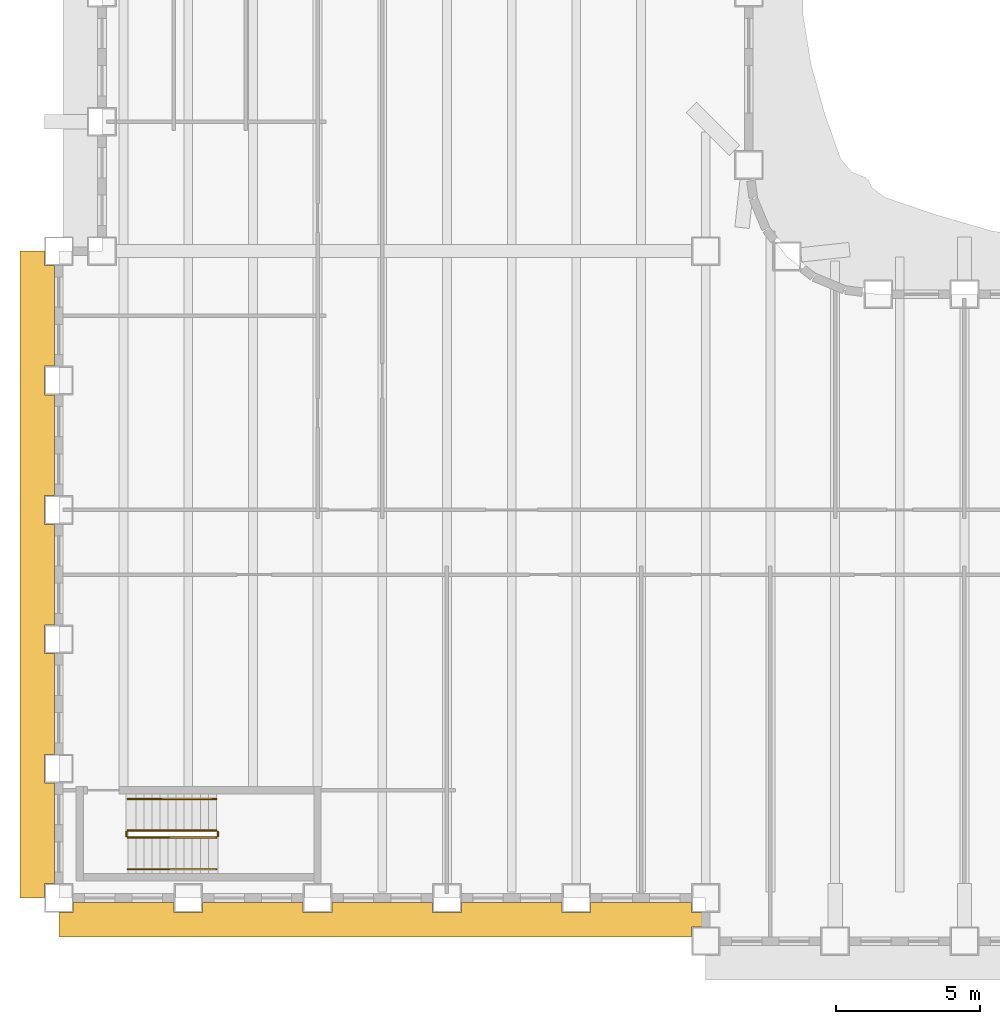
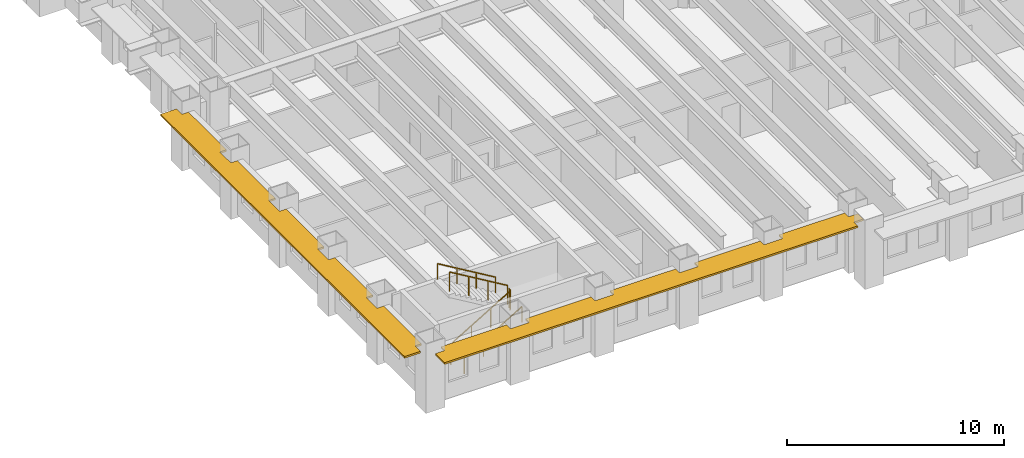
# One storey, part 11 of 16: 6 railings, 2 shading devices.
"""IFC4 building model written with IfcOpenShell, lengths in metres."""

from ifc_helpers import new_model, si_unit, direction, frame, origin, origin_2d, place, context, subcontext, project, spatial, polyline, rectangle, outline, extrude, material, layer, layer_set, type_object, element, save


model = new_model("IFC4")

# Units and contexts
model_context = context("Model", 3, precision=1e-05, world=origin(), true_north=direction((0.0, 1.0)))
body_context = subcontext(model_context, "Body", "Model", "MODEL_VIEW")
ifc_project = project(units=[si_unit("LENGTHUNIT", "METRE"), si_unit("AREAUNIT", "SQUARE_METRE"), si_unit("VOLUMEUNIT", "CUBIC_METRE"), si_unit("PLANEANGLEUNIT", "RADIAN"), si_unit("MASSUNIT", "GRAM", prefix="KILO")], contexts=[model_context])

# Site, building, storey
site_placement = place(None, origin())
site = spatial("IfcSite", under=ifc_project, at=site_placement, CompositionType="ELEMENT")
building_placement = place(site_placement, origin())
building = spatial("IfcBuilding", under=site, at=building_placement, Name="Sennacour Bend Tower", CompositionType="ELEMENT")
storey_placement = place(building_placement, frame((0.0, 0.0, 127.0)))
storey = spatial("IfcBuildingStorey", under=building, at=storey_placement, Name="L29", CompositionType="ELEMENT", Elevation=127.0)

# Railings
ifc_material_1 = material(Name="Stainless steel", Category="steel")
railing_type_1 = type_object("IfcRailingType", Name="RL-GUARD-1100", PredefinedType="GUARDRAIL", material=ifc_material_1)
railing_1_placement = place(storey_placement, frame((2.39990234375, 2.10009765625, 0.166748046875)))
element("IfcRailing", 1, at=railing_1_placement, inside=storey, type_object=railing_type_1, Name="L29 SK1 stair guard 1", PredefinedType="GUARDRAIL", context=body_context, shape_type="SweptSolid", body=[
    extrude(rectangle(XDim=0.048095703125, YDim=0.048095703125, at=origin_2d()), frame((0.0, 0.0, 1.076171875), z_axis=(0.859308565015, 0.0, 0.511457515432), x_axis=(0.0, 1.0, 0.0)), (0.0, 0.0, 1.0), 3.58447265625),
    extrude(rectangle(XDim=0.0419921875, YDim=0.0419921875, at=origin_2d()), origin(), (0.0, 0.0, 1.0), 1.052001953125),
    extrude(rectangle(XDim=0.0419921875, YDim=0.0419921875, at=origin_2d()), frame((1.026611328125, 0.0, 0.611083984375)), (0.0, 0.0, 1.0), 1.052001953125),
    extrude(rectangle(XDim=0.0419921875, YDim=0.0419921875, at=origin_2d()), frame((2.053466796875, 0.0, 1.22216796875)), (0.0, 0.0, 1.0), 1.052001953125),
    extrude(rectangle(XDim=0.0419921875, YDim=0.0419921875, at=origin_2d()), frame((3.080078125, 0.0, 1.833251953125)), (0.0, 0.0, 1.0), 1.052001953125),
])
railing_2_placement = place(storey_placement, frame((5.530029296875, 2.14990234375, 2.0)))
element("IfcRailing", 2, at=railing_2_placement, inside=storey, type_object=railing_type_1, Name="L29 SK1 stair guard 2", PredefinedType="GUARDRAIL", context=body_context, shape_type="SweptSolid", body=[
    extrude(rectangle(XDim=0.048095703125, YDim=0.048095703125, at=origin_2d()), frame((0.0, 0.0, 1.076171875), z_axis=(0.0, 1.0, 0.0), x_axis=(-1.0, 0.0, 0.0)), (0.0, 0.0, 1.0), 0.150146484375),
    extrude(rectangle(XDim=0.0419921875, YDim=0.0419921875, at=origin_2d()), origin(), (0.0, 0.0, 1.0), 1.052001953125),
    extrude(rectangle(XDim=0.0419921875, YDim=0.0419921875, at=origin_2d()), frame((0.0, 0.150146484375, 0.0)), (0.0, 0.0, 1.0), 1.052001953125),
])
railing_3_placement = place(storey_placement, frame((5.47998046875, 2.35009765625, 2.166748046875)))
element("IfcRailing", 3, at=railing_3_placement, inside=storey, type_object=railing_type_1, Name="L29 SK1 stair guard 3", PredefinedType="GUARDRAIL", context=body_context, shape_type="SweptSolid", body=[
    extrude(rectangle(XDim=0.048095703125, YDim=0.048095703125, at=origin_2d()), frame((0.0, 0.0, 1.076171875), z_axis=(-0.859308565015, 0.0, 0.511457515432), x_axis=(0.0, -1.0, 0.0)), (0.0, 0.0, 1.0), 3.58447265625),
    extrude(rectangle(XDim=0.0419921875, YDim=0.0419921875, at=origin_2d()), origin(), (0.0, 0.0, 1.0), 1.052001953125),
    extrude(rectangle(XDim=0.0419921875, YDim=0.0419921875, at=origin_2d()), frame((-1.026611328125, 0.0, 0.611083984375)), (0.0, 0.0, 1.0), 1.052001953125),
    extrude(rectangle(XDim=0.0419921875, YDim=0.0419921875, at=origin_2d()), frame((-2.053466796875, 0.0, 1.22216796875)), (0.0, 0.0, 1.0), 1.052001953125),
    extrude(rectangle(XDim=0.0419921875, YDim=0.0419921875, at=origin_2d()), frame((-3.080078125, 0.0, 1.833251953125)), (0.0, 0.0, 1.0), 1.052001953125),
])
railing_4_placement = place(storey_placement, frame((2.35009765625, 2.14990234375, 0.0)))
element("IfcRailing", 4, at=railing_4_placement, inside=storey, type_object=railing_type_1, Name="L29 SK1 stair guard 4", PredefinedType="GUARDRAIL", context=body_context, shape_type="SweptSolid", body=[
    extrude(rectangle(XDim=0.048095703125, YDim=0.048095703125, at=origin_2d()), frame((0.0, 0.0, 1.076171875), z_axis=(0.0, 1.0, 0.0), x_axis=(-1.0, 0.0, 0.0)), (0.0, 0.0, 1.0), 0.150146484375),
    extrude(rectangle(XDim=0.0419921875, YDim=0.0419921875, at=origin_2d()), origin(), (0.0, 0.0, 1.0), 1.052001953125),
    extrude(rectangle(XDim=0.0419921875, YDim=0.0419921875, at=origin_2d()), frame((0.0, 0.150146484375, 0.0)), (0.0, 0.0, 1.0), 1.052001953125),
])
railing_type_2 = type_object("IfcRailingType", Name="RL-HANDRAIL-900", PredefinedType="HANDRAIL", material=ifc_material_1)
railing_5_placement = place(storey_placement, frame((2.39990234375, 1.0, 0.166748046875)))
element("IfcRailing", 5, at=railing_5_placement, inside=storey, type_object=railing_type_2, Name="L29 SK1 stair handrail 1", PredefinedType="HANDRAIL", context=body_context, shape_type="SweptSolid", body=[
    extrude(rectangle(XDim=0.048095703125, YDim=0.048095703125, at=origin_2d()), frame((0.0, 0.0, 0.8759765625), z_axis=(0.859308565015, 0.0, 0.511457515432), x_axis=(0.0, 1.0, 0.0)), (0.0, 0.0, 1.0), 3.58447265625),
    extrude(rectangle(XDim=0.0419921875, YDim=0.0419921875, at=origin_2d()), origin(), (0.0, 0.0, 1.0), 0.851806640625),
    extrude(rectangle(XDim=0.0419921875, YDim=0.0419921875, at=origin_2d()), frame((1.026611328125, 0.0, 0.611083984375)), (0.0, 0.0, 1.0), 0.851806640625),
    extrude(rectangle(XDim=0.0419921875, YDim=0.0419921875, at=origin_2d()), frame((2.053466796875, 0.0, 1.22216796875)), (0.0, 0.0, 1.0), 0.851806640625),
    extrude(rectangle(XDim=0.0419921875, YDim=0.0419921875, at=origin_2d()), frame((3.080078125, 0.0, 1.833251953125)), (0.0, 0.0, 1.0), 0.851806640625),
])
railing_6_placement = place(storey_placement, frame((5.47998046875, 3.449951171875, 2.166748046875)))
element("IfcRailing", 6, at=railing_6_placement, inside=storey, type_object=railing_type_2, Name="L29 SK1 stair handrail 2", PredefinedType="HANDRAIL", context=body_context, shape_type="SweptSolid", body=[
    extrude(rectangle(XDim=0.048095703125, YDim=0.048095703125, at=origin_2d()), frame((0.0, 0.0, 0.8759765625), z_axis=(-0.859308565015, 0.0, 0.511457515432), x_axis=(0.0, -1.0, 0.0)), (0.0, 0.0, 1.0), 3.58447265625),
    extrude(rectangle(XDim=0.0419921875, YDim=0.0419921875, at=origin_2d()), origin(), (0.0, 0.0, 1.0), 0.851806640625),
    extrude(rectangle(XDim=0.0419921875, YDim=0.0419921875, at=origin_2d()), frame((-1.026611328125, 0.0, 0.611083984375)), (0.0, 0.0, 1.0), 0.851806640625),
    extrude(rectangle(XDim=0.0419921875, YDim=0.0419921875, at=origin_2d()), frame((-2.053466796875, 0.0, 1.22216796875)), (0.0, 0.0, 1.0), 0.851806640625),
    extrude(rectangle(XDim=0.0419921875, YDim=0.0419921875, at=origin_2d()), frame((-3.080078125, 0.0, 1.833251953125)), (0.0, 0.0, 1.0), 0.851806640625),
])

# Shading devices
ifc_material_2 = material(Name="Bronze anodised aluminium", Category="aluminium")
ifc_layer = layer(ifc_material_2, 0.10009765625, Name="Bronze anodised aluminium", Category="aluminium")
ifc_layer_set = layer_set([ifc_layer], Name="Bronze anodised aluminium")
shading_device_type = type_object("IfcShadingDeviceType", Name="SUNSHADE BAND STRAIGHT", PredefinedType="USERDEFINED", material=ifc_layer_set)
shading_device_1_placement = place(storey_placement, frame((0.0, 0.0, 2.9541015625)))
element("IfcShadingDevice", 7, at=shading_device_1_placement, inside=storey, type_object=shading_device_type, Name="Sunshade band L29 K outer face", ObjectType="SUNSHADE", PredefinedType="USERDEFINED", context=body_context, shape_type="SweptSolid", body=[
    extrude(outline(polyline([(-0.14990234375, 18.5), (-0.5, 18.5), (-0.5, 17.5), (-0.14990234375, 17.5), (-0.14990234375, 14.0), (-0.5, 14.0), (-0.5, 13.0), (-0.14990234375, 13.0), (-0.14990234375, 9.5), (-0.5, 9.5), (-0.5, 8.5), (-0.14990234375, 8.5), (-0.14990234375, 5.0), (-0.5, 5.0), (-0.5, 4.0), (-0.14990234375, 4.0), (-0.14990234375, 0.5), (-0.5, 0.5), (-0.5, 0.0), (-1.35009765625, 0.0), (-1.35009765625, 22.5), (-0.5, 22.5), (-0.5, 22.0), (-0.14990234375, 22.0), (-0.14990234375, 18.5)])), origin(), (0.0, 0.0, 1.0), 0.099853515625),
])
shading_device_2_placement = place(storey_placement, frame((0.0, 0.0, 2.9541015625)))
element("IfcShadingDevice", 8, at=shading_device_2_placement, inside=storey, type_object=shading_device_type, Name="Sunshade band L29 K outer face", ObjectType="SUNSHADE", PredefinedType="USERDEFINED", context=body_context, shape_type="SweptSolid", body=[
    extrude(outline(polyline([(4.0, -0.14990234375), (4.0, -0.5), (5.0, -0.5), (5.0, -0.14990234375), (8.5, -0.14990234375), (8.5, -0.5), (9.5, -0.5), (9.5, -0.14990234375), (13.0, -0.14990234375), (13.0, -0.5), (14.0, -0.5), (14.0, -0.14990234375), (17.5, -0.14990234375), (17.5, -0.5), (18.5, -0.5), (18.5, -0.14990234375), (22.0, -0.14990234375), (22.0, -0.5), (22.5, -0.5), (22.5, -1.0), (22.0, -1.0), (22.0, -1.35009765625), (0.0, -1.35009765625), (0.0, -0.5), (0.5, -0.5), (0.5, -0.14990234375), (4.0, -0.14990234375)])), origin(), (0.0, 0.0, 1.0), 0.099853515625),
])

save(model, "model.ifc")
